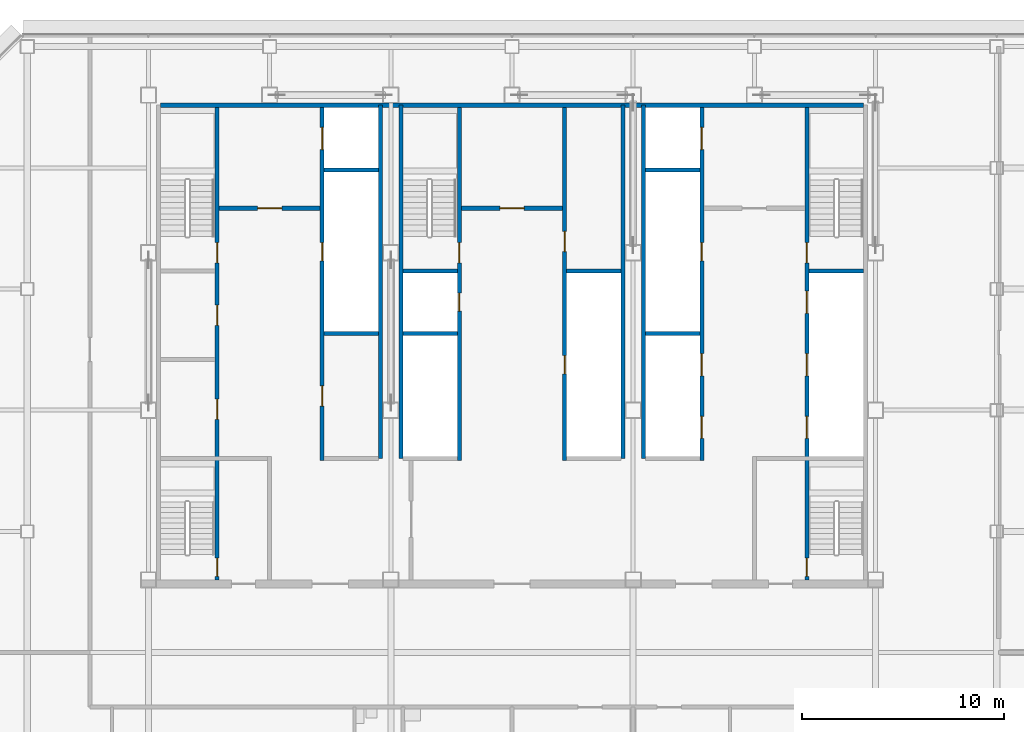
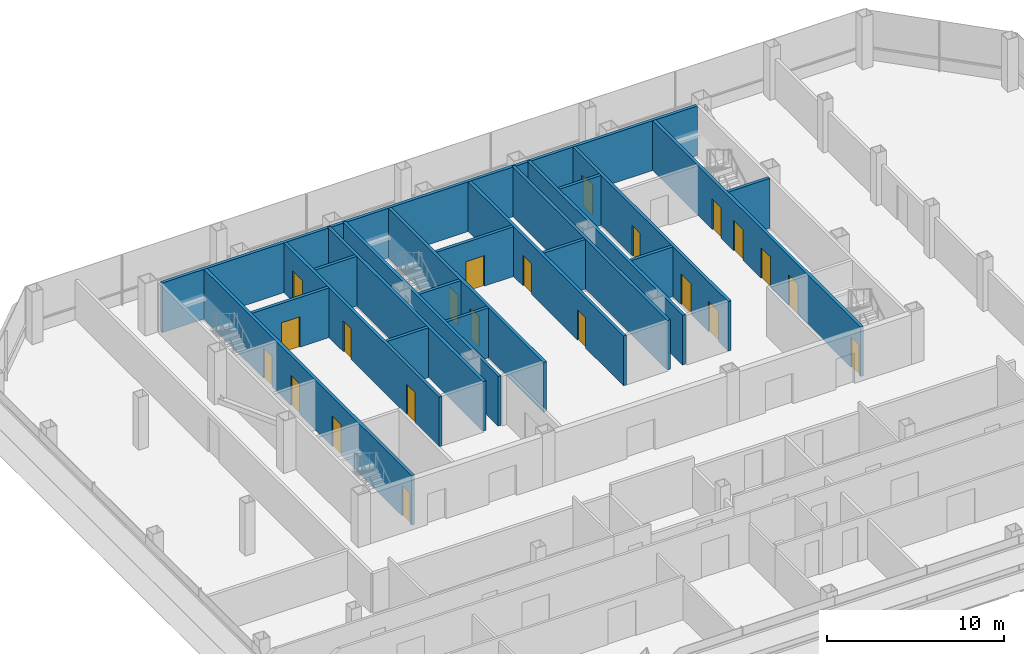
# One storey, part 21 of 24: 22 doors, 21 walls, 22 openings.
"""IFC4 building model written with IfcOpenShell, lengths in metres."""

from ifc_helpers import new_model, si_unit, direction, frame, frame_2d, origin, place, context, subcontext, project, spatial, rectangle, extrude, material, layer, layer_set, type_object, element, fill, save


model = new_model("IFC4")

# Units and contexts
model_context = context("Model", 3, precision=1e-05, world=origin(), true_north=direction((0.0, 1.0)))
body_context = subcontext(model_context, "Body", "Model", "MODEL_VIEW")
ifc_project = project(units=[si_unit("LENGTHUNIT", "METRE"), si_unit("AREAUNIT", "SQUARE_METRE"), si_unit("VOLUMEUNIT", "CUBIC_METRE"), si_unit("PLANEANGLEUNIT", "RADIAN"), si_unit("MASSUNIT", "GRAM", prefix="KILO")], contexts=[model_context])

# Site, building, storey
site_placement = place(None, origin())
site = spatial("IfcSite", under=ifc_project, at=site_placement, CompositionType="ELEMENT")
building_placement = place(site_placement, origin())
building = spatial("IfcBuilding", under=site, at=building_placement, Name="Sorahane Residences", CompositionType="ELEMENT")
storey_placement = place(building_placement, frame((0.0, 0.0, 178.0)))
storey = spatial("IfcBuildingStorey", under=building, at=storey_placement, Name="L41", CompositionType="ELEMENT", Elevation=178.0)

# Walls
ifc_material_1 = material(Name="Concrete C30", Category="concrete")
ifc_layer_1 = layer(ifc_material_1, 0.199951171875)
ifc_layer_set_1 = layer_set([ifc_layer_1], Name="Core face wall 200 EI 180")
wall_type_1 = type_object("IfcWallType", Name="Core face wall 200 EI 180", PredefinedType="SOLIDWALL", material=ifc_layer_set_1)
wall_1_placement = place(storey_placement, frame((6.60009765625, 45.10009765625, 0.0), z_axis=(0.0, 0.0, 1.0), x_axis=(1.0, 0.0, 0.0)))
element("IfcWall", 1, at=wall_1_placement, inside=storey, type_object=wall_type_1, Name="L41 core face wall", PredefinedType="SOLIDWALL", context=body_context, shape_type="SweptSolid", body=[
    extrude(rectangle(XDim=34.7998046875, YDim=0.199951171875, at=frame_2d((17.39990234375, 0.0))), origin(), (0.0, 0.0, 1.0), 3.419921875),
])
for number, where, z_axis, x_axis, name in (
    (2, (17.5, 27.60009765625, 0.0), (0.0, 0.0, 1.0), (0.0, 1.0, 0.0), "L41 core face wall"),
    (3, (18.5, 27.60009765625, 0.0), (0.0, 0.0, 1.0), (0.0, 1.0, 0.0), "L41 core face wall"),
    (4, (29.5, 27.60009765625, 0.0), (0.0, 0.0, 1.0), (0.0, 1.0, 0.0), "L41 core face wall"),
    (5, (30.5, 27.60009765625, 0.0), (0.0, 0.0, 1.0), (0.0, 1.0, 0.0), "L41 core face wall"),
):
    element("IfcWall", number, at=place(storey_placement, frame(where, z_axis=z_axis, x_axis=x_axis)), inside=storey, type_object=wall_type_1, Name=name, PredefinedType="SOLIDWALL", context=body_context, shape_type="SweptSolid", body=[
        extrude(rectangle(XDim=17.5, YDim=0.199951171875, at=frame_2d((8.75, 0.0))), origin(), (0.0, 0.0, 1.0), 3.419921875),
    ])

# Wall, opening, door
ifc_material_2 = material(Name="Concrete C30", Category="concrete")
ifc_layer_2 = layer(ifc_material_2, 0.199951171875)
ifc_layer_set_2 = layer_set([ifc_layer_2], Name="Front room wall 200 EI 120")
wall_type_2 = type_object("IfcWallType", Name="Front room wall 200 EI 120", PredefinedType="PARTITIONING", material=ifc_layer_set_2)
wall_2_placement = place(storey_placement, frame((21.5, 40.0, 0.0), z_axis=(0.0, 0.0, 1.0), x_axis=(1.0, 0.0, 0.0)))
wall_2 = element("IfcWall", 6, at=wall_2_placement, inside=storey, type_object=wall_type_2, Name="L41 front room wall", PredefinedType="PARTITIONING", context=body_context, shape_type="SweptSolid", body=[
    extrude(rectangle(XDim=5.0, YDim=0.199951171875, at=frame_2d((2.5, 0.0))), origin(), (0.0, 0.0, 1.0), 3.419921875),
])
opening_1_placement = place(wall_2_placement, frame((1.89990234375, 0.0, 0.0)))
opening_1 = element("IfcOpeningElement", 7, at=opening_1_placement, cuts=wall_2, Name="Opening L41-C08", PredefinedType="OPENING", context=body_context, shape_type="SweptSolid", body=[
    extrude(rectangle(XDim=1.199951171875, YDim=2.10009765625, at=frame_2d((0.60009765625, 1.050048828125))), frame((0.0, 0.10986328125, 0.0), z_axis=(0.0, -1.0, 0.0), x_axis=(1.0, 0.0, 0.0)), (0.0, 0.0, 1.0), 0.219970703125),
])
ifc_material_3 = material(Name="Steel", Category="steel")
door_type_1 = type_object("IfcDoorType", Name="Front room door 1200x2100 FD120", OperationType="NOTDEFINED", PredefinedType="DOOR", material=ifc_material_3)
door_1_placement = place(opening_1_placement, frame((1.199951171875, 0.0, 0.0), z_axis=(0.0, 0.0, 1.0), x_axis=(-1.0, 0.0, 0.0)))
door_1 = element("IfcDoor", 8, at=door_1_placement, inside=storey, type_object=door_type_1, Name="Front room door Stair S3 vestibule L41", OperationType="DOUBLE_DOOR_SINGLE_SWING", OverallHeight=2.10009765625, OverallWidth=1.199951171875, PredefinedType="DOOR", context=body_context, shape_type="SweptSolid", body=[
    extrude(rectangle(XDim=1.199951171875, YDim=2.10009765625, at=frame_2d((0.60009765625, 1.050048828125))), frame((0.0, 0.02490234375, 0.0), z_axis=(0.0, -1.0, 0.0), x_axis=(1.0, 0.0, 0.0)), (0.0, 0.0, 1.0), 0.050048828125),
])
fill(opening_1, door_1)

wall_3_placement = place(storey_placement, frame((9.5, 40.0, 0.0), z_axis=(0.0, 0.0, 1.0), x_axis=(1.0, 0.0, 0.0)))
wall_3 = element("IfcWall", 9, at=wall_3_placement, inside=storey, type_object=wall_type_2, Name="L41 front room wall", PredefinedType="PARTITIONING", context=body_context, shape_type="SweptSolid", body=[
    extrude(rectangle(XDim=5.0, YDim=0.199951171875, at=frame_2d((2.5, 0.0))), origin(), (0.0, 0.0, 1.0), 3.419921875),
])
opening_2_placement = place(wall_3_placement, frame((1.89990234375, 0.0, 0.0)))
opening_2 = element("IfcOpeningElement", 10, at=opening_2_placement, cuts=wall_3, Name="Opening L41-C07", PredefinedType="OPENING", context=body_context, shape_type="SweptSolid", body=[
    extrude(rectangle(XDim=1.199951171875, YDim=2.10009765625, at=frame_2d((0.60009765625, 1.050048828125))), frame((0.0, 0.10986328125, 0.0), z_axis=(0.0, -1.0, 0.0), x_axis=(1.0, 0.0, 0.0)), (0.0, 0.0, 1.0), 0.219970703125),
])
door_2_placement = place(opening_2_placement, frame((1.199951171875, 0.0, 0.0), z_axis=(0.0, 0.0, 1.0), x_axis=(-1.0, 0.0, 0.0)))
door_2 = element("IfcDoor", 11, at=door_2_placement, inside=storey, type_object=door_type_1, Name="Front room door Firefighting lobby FF1 front room L41", OperationType="DOUBLE_DOOR_SINGLE_SWING", OverallHeight=2.10009765625, OverallWidth=1.199951171875, PredefinedType="DOOR", context=body_context, shape_type="SweptSolid", body=[
    extrude(rectangle(XDim=1.199951171875, YDim=2.10009765625, at=frame_2d((0.60009765625, 1.050048828125))), frame((0.0, 0.02490234375, 0.0), z_axis=(0.0, -1.0, 0.0), x_axis=(1.0, 0.0, 0.0)), (0.0, 0.0, 1.0), 0.050048828125),
])
fill(opening_2, door_2)

# Wall, openings, doors
ifc_material_4 = material(Name="Concrete C30", Category="concrete")
ifc_layer_3 = layer(ifc_material_4, 0.199951171875)
ifc_layer_set_3 = layer_set([ifc_layer_3], Name="Lift shaft wall 200 EI 120")
wall_type_3 = type_object("IfcWallType", Name="Lift shaft wall 200 EI 120", PredefinedType="SOLIDWALL", material=ifc_layer_set_3)
wall_4_placement = place(storey_placement, frame((14.60009765625, 27.5, 0.0), z_axis=(0.0, 0.0, 1.0), x_axis=(0.0, 1.0, 0.0)))
wall_4 = element("IfcWall", 12, at=wall_4_placement, inside=storey, type_object=wall_type_3, Name="L41 lift shaft wall", PredefinedType="SOLIDWALL", context=body_context, shape_type="SweptSolid", body=[
    extrude(rectangle(XDim=17.5, YDim=0.199951171875, at=frame_2d((8.75, 0.0))), origin(), (0.0, 0.0, 1.0), 3.419921875),
])
opening_3_placement = place(wall_4_placement, frame((15.39990234375, 0.0, 0.0)))
opening_3 = element("IfcOpeningElement", 13, at=opening_3_placement, cuts=wall_4, Name="Opening L41-C16", PredefinedType="OPENING", context=body_context, shape_type="SweptSolid", body=[
    extrude(rectangle(XDim=1.10009765625, YDim=2.10009765625, at=frame_2d((0.550048828125, 1.050048828125))), frame((0.0, 0.10986328125, 0.0), z_axis=(0.0, -1.0, 0.0), x_axis=(1.0, 0.0, 0.0)), (0.0, 0.0, 1.0), 0.219970703125),
])
opening_4_placement = place(wall_4_placement, frame((2.699951171875, 0.0, 0.0)))
opening_4 = element("IfcOpeningElement", 14, at=opening_4_placement, cuts=wall_4, Name="Opening L41-C17", PredefinedType="OPENING", context=body_context, shape_type="SweptSolid", body=[
    extrude(rectangle(XDim=1.0, YDim=2.10009765625, at=frame_2d((0.5, 1.050048828125))), frame((0.0, 0.10986328125, 0.0), z_axis=(0.0, -1.0, 0.0), x_axis=(1.0, 0.0, 0.0)), (0.0, 0.0, 1.0), 0.219970703125),
])
opening_5_placement = place(wall_4_placement, frame((9.89990234375, 0.0, 0.0)))
opening_5 = element("IfcOpeningElement", 15, at=opening_5_placement, cuts=wall_4, Name="Opening L41-C25", PredefinedType="OPENING", context=body_context, shape_type="SweptSolid", body=[
    extrude(rectangle(XDim=0.89990234375, YDim=2.10009765625, at=frame_2d((0.449951171875, 1.050048828125))), frame((0.0, 0.10986328125, 0.0), z_axis=(0.0, -1.0, 0.0), x_axis=(1.0, 0.0, 0.0)), (0.0, 0.0, 1.0), 0.219970703125),
])
ifc_material_5 = material(Name="Aluminium and stainless steel", Category="steel")
door_type_2 = type_object("IfcDoorType", Name="Lift landing door 1100x2100 E 60", OperationType="NOTDEFINED", PredefinedType="DOOR", material=ifc_material_5)
door_3_placement = place(opening_3_placement, origin())
door_3 = element("IfcDoor", 16, at=door_3_placement, inside=storey, type_object=door_type_2, Name="Lift landing door FF1 L41", OperationType="DOUBLE_DOOR_SLIDING", OverallHeight=2.10009765625, OverallWidth=1.10009765625, PredefinedType="DOOR", context=body_context, shape_type="SweptSolid", body=[
    extrude(rectangle(XDim=1.10009765625, YDim=2.10009765625, at=frame_2d((0.550048828125, 1.050048828125))), frame((0.0, 0.02490234375, 0.0), z_axis=(0.0, -1.0, 0.0), x_axis=(1.0, 0.0, 0.0)), (0.0, 0.0, 1.0), 0.050048828125),
])
fill(opening_3, door_3)
ifc_material_6 = material(Name="Steel", Category="steel")
door_type_3 = type_object("IfcDoorType", Name="Riser door 900x2100 FD120", OperationType="NOTDEFINED", PredefinedType="DOOR", material=ifc_material_6)
door_4_placement = place(opening_5_placement, origin())
door_4 = element("IfcDoor", 17, at=door_4_placement, inside=storey, type_object=door_type_3, Name="Riser door R1 L41", OperationType="SINGLE_SWING_LEFT", OverallHeight=2.10009765625, OverallWidth=0.89990234375, PredefinedType="DOOR", context=body_context, shape_type="SweptSolid", body=[
    extrude(rectangle(XDim=0.89990234375, YDim=2.10009765625, at=frame_2d((0.449951171875, 1.050048828125))), frame((0.0, 0.02490234375, 0.0), z_axis=(0.0, -1.0, 0.0), x_axis=(1.0, 0.0, 0.0)), (0.0, 0.0, 1.0), 0.050048828125),
])
fill(opening_5, door_4)
ifc_material_7 = material(Name="Steel", Category="steel")
door_type_4 = type_object("IfcDoorType", Name="Service room door 1000x2100 FD60", OperationType="NOTDEFINED", PredefinedType="DOOR", material=ifc_material_7)
door_5_placement = place(opening_4_placement, frame((1.0, 0.0, 0.0), z_axis=(0.0, 0.0, 1.0), x_axis=(-1.0, 0.0, 0.0)))
door_5 = element("IfcDoor", 18, at=door_5_placement, inside=storey, type_object=door_type_4, Name="Service room door Study L41", OperationType="SINGLE_SWING_RIGHT", OverallHeight=2.10009765625, OverallWidth=1.0, PredefinedType="DOOR", context=body_context, shape_type="SweptSolid", body=[
    extrude(rectangle(XDim=1.0, YDim=2.10009765625, at=frame_2d((0.5, 1.050048828125))), frame((0.0, 0.02490234375, 0.0), z_axis=(0.0, -1.0, 0.0), x_axis=(1.0, 0.0, 0.0)), (0.0, 0.0, 1.0), 0.050048828125),
])
fill(opening_4, door_5)

wall_5_placement = place(storey_placement, frame((33.39990234375, 27.5, 0.0), z_axis=(0.0, 0.0, 1.0), x_axis=(0.0, 1.0, 0.0)))
wall_5 = element("IfcWall", 19, at=wall_5_placement, inside=storey, type_object=wall_type_3, Name="L41 lift shaft wall", PredefinedType="SOLIDWALL", context=body_context, shape_type="SweptSolid", body=[
    extrude(rectangle(XDim=17.5, YDim=0.199951171875, at=frame_2d((8.75, 0.0))), origin(), (0.0, 0.0, 1.0), 3.419921875),
])
opening_6_placement = place(wall_5_placement, frame((1.10009765625, 0.0, 0.0)))
opening_6 = element("IfcOpeningElement", 20, at=opening_6_placement, cuts=wall_5, Name="Opening L41-C13", PredefinedType="OPENING", context=body_context, shape_type="SweptSolid", body=[
    extrude(rectangle(XDim=1.10009765625, YDim=2.10009765625, at=frame_2d((0.550048828125, 1.050048828125))), frame((0.0, 0.10986328125, 0.0), z_axis=(0.0, -1.0, 0.0), x_axis=(1.0, 0.0, 0.0)), (0.0, 0.0, 1.0), 0.219970703125),
])
opening_7_placement = place(wall_5_placement, frame((4.199951171875, 0.0, 0.0)))
opening_7 = element("IfcOpeningElement", 21, at=opening_7_placement, cuts=wall_5, Name="Opening L41-C14", PredefinedType="OPENING", context=body_context, shape_type="SweptSolid", body=[
    extrude(rectangle(XDim=1.10009765625, YDim=2.10009765625, at=frame_2d((0.550048828125, 1.050048828125))), frame((0.0, 0.10986328125, 0.0), z_axis=(0.0, -1.0, 0.0), x_axis=(1.0, 0.0, 0.0)), (0.0, 0.0, 1.0), 0.219970703125),
])
opening_8_placement = place(wall_5_placement, frame((15.39990234375, 0.0, 0.0)))
opening_8 = element("IfcOpeningElement", 22, at=opening_8_placement, cuts=wall_5, Name="Opening L41-C15", PredefinedType="OPENING", context=body_context, shape_type="SweptSolid", body=[
    extrude(rectangle(XDim=1.10009765625, YDim=2.10009765625, at=frame_2d((0.550048828125, 1.050048828125))), frame((0.0, 0.10986328125, 0.0), z_axis=(0.0, -1.0, 0.0), x_axis=(1.0, 0.0, 0.0)), (0.0, 0.0, 1.0), 0.219970703125),
])
opening_9_placement = place(wall_5_placement, frame((9.89990234375, 0.0, 0.0)))
opening_9 = element("IfcOpeningElement", 23, at=opening_9_placement, cuts=wall_5, Name="Opening L41-C26", PredefinedType="OPENING", context=body_context, shape_type="SweptSolid", body=[
    extrude(rectangle(XDim=0.89990234375, YDim=2.10009765625, at=frame_2d((0.449951171875, 1.050048828125))), frame((0.0, 0.10986328125, 0.0), z_axis=(0.0, -1.0, 0.0), x_axis=(1.0, 0.0, 0.0)), (0.0, 0.0, 1.0), 0.219970703125),
])
door_6_placement = place(opening_6_placement, origin())
door_6 = element("IfcDoor", 24, at=door_6_placement, inside=storey, type_object=door_type_2, Name="Lift landing door HR4 L41", OperationType="DOUBLE_DOOR_SLIDING", OverallHeight=2.10009765625, OverallWidth=1.10009765625, PredefinedType="DOOR", context=body_context, shape_type="SweptSolid", body=[
    extrude(rectangle(XDim=1.10009765625, YDim=2.10009765625, at=frame_2d((0.550048828125, 1.050048828125))), frame((0.0, 0.02490234375, 0.0), z_axis=(0.0, -1.0, 0.0), x_axis=(1.0, 0.0, 0.0)), (0.0, 0.0, 1.0), 0.050048828125),
])
fill(opening_6, door_6)
door_7_placement = place(opening_7_placement, origin())
door_7 = element("IfcDoor", 25, at=door_7_placement, inside=storey, type_object=door_type_2, Name="Lift landing door HR5 L41", OperationType="DOUBLE_DOOR_SLIDING", OverallHeight=2.10009765625, OverallWidth=1.10009765625, PredefinedType="DOOR", context=body_context, shape_type="SweptSolid", body=[
    extrude(rectangle(XDim=1.10009765625, YDim=2.10009765625, at=frame_2d((0.550048828125, 1.050048828125))), frame((0.0, 0.02490234375, 0.0), z_axis=(0.0, -1.0, 0.0), x_axis=(1.0, 0.0, 0.0)), (0.0, 0.0, 1.0), 0.050048828125),
])
fill(opening_7, door_7)
door_8_placement = place(opening_8_placement, origin())
door_8 = element("IfcDoor", 26, at=door_8_placement, inside=storey, type_object=door_type_2, Name="Lift landing door FF2 L41", OperationType="DOUBLE_DOOR_SLIDING", OverallHeight=2.10009765625, OverallWidth=1.10009765625, PredefinedType="DOOR", context=body_context, shape_type="SweptSolid", body=[
    extrude(rectangle(XDim=1.10009765625, YDim=2.10009765625, at=frame_2d((0.550048828125, 1.050048828125))), frame((0.0, 0.02490234375, 0.0), z_axis=(0.0, -1.0, 0.0), x_axis=(1.0, 0.0, 0.0)), (0.0, 0.0, 1.0), 0.050048828125),
])
fill(opening_8, door_8)
door_9_placement = place(opening_9_placement, frame((0.89990234375, 0.0, 0.0), z_axis=(0.0, 0.0, 1.0), x_axis=(-1.0, 0.0, 0.0)))
door_9 = element("IfcDoor", 27, at=door_9_placement, inside=storey, type_object=door_type_3, Name="Riser door R2 L41", OperationType="SINGLE_SWING_LEFT", OverallHeight=2.10009765625, OverallWidth=0.89990234375, PredefinedType="DOOR", context=body_context, shape_type="SweptSolid", body=[
    extrude(rectangle(XDim=0.89990234375, YDim=2.10009765625, at=frame_2d((0.449951171875, 1.050048828125))), frame((0.0, 0.02490234375, 0.0), z_axis=(0.0, -1.0, 0.0), x_axis=(1.0, 0.0, 0.0)), (0.0, 0.0, 1.0), 0.050048828125),
])
fill(opening_9, door_9)

# Walls
for number, where, z_axis, x_axis, name in (
    (28, (18.60009765625, 33.800048828125, 0.0), (0.0, 0.0, 1.0), (1.0, 0.0, 0.0), "L41 lift shaft wall"),
    (29, (30.60009765625, 33.800048828125, 0.0), (0.0, 0.0, 1.0), (1.0, 0.0, 0.0), "L41 lift shaft wall"),
    (30, (14.699951171875, 41.89990234375, 0.0), (0.0, 0.0, 1.0), (1.0, 0.0, 0.0), "L41 lift shaft wall"),
    (31, (30.60009765625, 41.89990234375, 0.0), (0.0, 0.0, 1.0), (1.0, 0.0, 0.0), "L41 lift shaft wall"),
):
    element("IfcWall", number, at=place(storey_placement, frame(where, z_axis=z_axis, x_axis=x_axis)), inside=storey, type_object=wall_type_3, Name=name, PredefinedType="SOLIDWALL", context=body_context, shape_type="SweptSolid", body=[
        extrude(rectangle(XDim=2.699951171875, YDim=0.199951171875, at=frame_2d((1.35009765625, 0.0))), origin(), (0.0, 0.0, 1.0), 3.419921875),
    ])

# Wall, openings, doors
ifc_material_8 = material(Name="Concrete C30", Category="concrete")
ifc_layer_4 = layer(ifc_material_8, 0.199951171875)
ifc_layer_set_4 = layer_set([ifc_layer_4], Name="Riser shaft wall 200 EI 120")
wall_type_4 = type_object("IfcWallType", Name="Riser shaft wall 200 EI 120", PredefinedType="SOLIDWALL", material=ifc_layer_set_4)
wall_6_placement = place(storey_placement, frame((26.60009765625, 27.5, 0.0), z_axis=(0.0, 0.0, 1.0), x_axis=(0.0, 1.0, 0.0)))
wall_6 = element("IfcWall", 32, at=wall_6_placement, inside=storey, type_object=wall_type_4, Name="L41 riser wall", PredefinedType="SOLIDWALL", context=body_context, shape_type="SweptSolid", body=[
    extrude(rectangle(XDim=17.5, YDim=0.199951171875, at=frame_2d((8.75, 0.0))), origin(), (0.0, 0.0, 1.0), 3.419921875),
])
opening_10_placement = place(wall_6_placement, frame((4.300048828125, 0.0, 0.0)))
opening_10 = element("IfcOpeningElement", 33, at=opening_10_placement, cuts=wall_6, Name="Opening L41-C28", PredefinedType="OPENING", context=body_context, shape_type="SweptSolid", body=[
    extrude(rectangle(XDim=0.89990234375, YDim=2.10009765625, at=frame_2d((0.449951171875, 1.050048828125))), frame((0.0, 0.10986328125, 0.0), z_axis=(0.0, -1.0, 0.0), x_axis=(1.0, 0.0, 0.0)), (0.0, 0.0, 1.0), 0.219970703125),
])
opening_11_placement = place(wall_6_placement, frame((10.35009765625, 0.0, 0.0)))
opening_11 = element("IfcOpeningElement", 34, at=opening_11_placement, cuts=wall_6, Name="Opening L41-C29", PredefinedType="OPENING", context=body_context, shape_type="SweptSolid", body=[
    extrude(rectangle(XDim=1.0, YDim=2.10009765625, at=frame_2d((0.5, 1.050048828125))), frame((0.0, 0.10986328125, 0.0), z_axis=(0.0, -1.0, 0.0), x_axis=(1.0, 0.0, 0.0)), (0.0, 0.0, 1.0), 0.219970703125),
])
door_10_placement = place(opening_10_placement, origin())
door_10 = element("IfcDoor", 35, at=door_10_placement, inside=storey, type_object=door_type_3, Name="Riser door R4 L41", OperationType="SINGLE_SWING_LEFT", OverallHeight=2.10009765625, OverallWidth=0.89990234375, PredefinedType="DOOR", context=body_context, shape_type="SweptSolid", body=[
    extrude(rectangle(XDim=0.89990234375, YDim=2.10009765625, at=frame_2d((0.449951171875, 1.050048828125))), frame((0.0, 0.02490234375, 0.0), z_axis=(0.0, -1.0, 0.0), x_axis=(1.0, 0.0, 0.0)), (0.0, 0.0, 1.0), 0.050048828125),
])
fill(opening_10, door_10)
door_11_placement = place(opening_11_placement, frame((1.0, 0.0, 0.0), z_axis=(0.0, 0.0, 1.0), x_axis=(-1.0, 0.0, 0.0)))
door_11 = element("IfcDoor", 36, at=door_11_placement, inside=storey, type_object=door_type_4, Name="Service room door Housekeeping store L41", OperationType="SINGLE_SWING_LEFT", OverallHeight=2.10009765625, OverallWidth=1.0, PredefinedType="DOOR", context=body_context, shape_type="SweptSolid", body=[
    extrude(rectangle(XDim=1.0, YDim=2.10009765625, at=frame_2d((0.5, 1.050048828125))), frame((0.0, 0.02490234375, 0.0), z_axis=(0.0, -1.0, 0.0), x_axis=(1.0, 0.0, 0.0)), (0.0, 0.0, 1.0), 0.050048828125),
])
fill(opening_11, door_11)

# Walls
for number, where, z_axis, x_axis, name in (
    (37, (14.699951171875, 33.800048828125, 0.0), (0.0, 0.0, 1.0), (1.0, 0.0, 0.0), "L41 riser wall"),
    (38, (26.699951171875, 36.89990234375, 0.0), (0.0, 0.0, 1.0), (1.0, 0.0, 0.0), "L41 riser wall"),
):
    element("IfcWall", number, at=place(storey_placement, frame(where, z_axis=z_axis, x_axis=x_axis)), inside=storey, type_object=wall_type_4, Name=name, PredefinedType="SOLIDWALL", context=body_context, shape_type="SweptSolid", body=[
        extrude(rectangle(XDim=2.699951171875, YDim=0.199951171875, at=frame_2d((1.35009765625, 0.0))), origin(), (0.0, 0.0, 1.0), 3.419921875),
    ])

# Wall, openings, doors
ifc_material_9 = material(Name="Concrete C30", Category="concrete")
ifc_layer_5 = layer(ifc_material_9, 0.199951171875)
ifc_layer_set_5 = layer_set([ifc_layer_5], Name="Stair enclosure wall 200 EI 120")
wall_type_5 = type_object("IfcWallType", Name="Stair enclosure wall 200 EI 120", PredefinedType="SOLIDWALL", material=ifc_layer_set_5)
wall_7_placement = place(storey_placement, frame((21.39990234375, 27.5, 0.0), z_axis=(0.0, 0.0, 1.0), x_axis=(0.0, 1.0, 0.0)))
wall_7 = element("IfcWall", 39, at=wall_7_placement, inside=storey, type_object=wall_type_5, Name="L41 stair enclosure wall", PredefinedType="SOLIDWALL", context=body_context, shape_type="SweptSolid", body=[
    extrude(rectangle(XDim=17.5, YDim=0.199951171875, at=frame_2d((8.75, 0.0))), origin(), (0.0, 0.0, 1.0), 3.419921875),
])
opening_12_placement = place(wall_7_placement, frame((9.800048828125, 0.0, 0.0)))
opening_12 = element("IfcOpeningElement", 40, at=opening_12_placement, cuts=wall_7, Name="Opening L41-C22", PredefinedType="OPENING", context=body_context, shape_type="SweptSolid", body=[
    extrude(rectangle(XDim=1.0, YDim=2.10009765625, at=frame_2d((0.5, 1.050048828125))), frame((0.0, 0.10986328125, 0.0), z_axis=(0.0, -1.0, 0.0), x_axis=(1.0, 0.0, 0.0)), (0.0, 0.0, 1.0), 0.219970703125),
])
opening_13_placement = place(wall_7_placement, frame((7.39990234375, 0.0, 0.0)))
opening_13 = element("IfcOpeningElement", 41, at=opening_13_placement, cuts=wall_7, Name="Opening L41-C27", PredefinedType="OPENING", context=body_context, shape_type="SweptSolid", body=[
    extrude(rectangle(XDim=0.89990234375, YDim=2.10009765625, at=frame_2d((0.449951171875, 1.050048828125))), frame((0.0, 0.10986328125, 0.0), z_axis=(0.0, -1.0, 0.0), x_axis=(1.0, 0.0, 0.0)), (0.0, 0.0, 1.0), 0.219970703125),
])
door_12_placement = place(opening_13_placement, frame((0.89990234375, 0.0, 0.0), z_axis=(0.0, 0.0, 1.0), x_axis=(-1.0, 0.0, 0.0)))
door_12 = element("IfcDoor", 42, at=door_12_placement, inside=storey, type_object=door_type_3, Name="Riser door R3 L41", OperationType="SINGLE_SWING_LEFT", OverallHeight=2.10009765625, OverallWidth=0.89990234375, PredefinedType="DOOR", context=body_context, shape_type="SweptSolid", body=[
    extrude(rectangle(XDim=0.89990234375, YDim=2.10009765625, at=frame_2d((0.449951171875, 1.050048828125))), frame((0.0, 0.02490234375, 0.0), z_axis=(0.0, -1.0, 0.0), x_axis=(1.0, 0.0, 0.0)), (0.0, 0.0, 1.0), 0.050048828125),
])
fill(opening_13, door_12)
ifc_material_10 = material(Name="Steel", Category="steel")
door_type_5 = type_object("IfcDoorType", Name="Stair door 1000x2100 FD120", OperationType="NOTDEFINED", PredefinedType="DOOR", material=ifc_material_10)
door_13_placement = place(opening_12_placement, origin())
door_13 = element("IfcDoor", 43, at=door_13_placement, inside=storey, type_object=door_type_5, Name="Stair door S3 L41", OperationType="SINGLE_SWING_LEFT", OverallHeight=2.10009765625, OverallWidth=1.0, PredefinedType="DOOR", context=body_context, shape_type="SweptSolid", body=[
    extrude(rectangle(XDim=1.0, YDim=2.10009765625, at=frame_2d((0.5, 1.050048828125))), frame((0.0, 0.02490234375, 0.0), z_axis=(0.0, -1.0, 0.0), x_axis=(1.0, 0.0, 0.0)), (0.0, 0.0, 1.0), 0.050048828125),
])
fill(opening_12, door_13)

wall_8_placement = place(storey_placement, frame((38.60009765625, 21.60009765625, 0.0), z_axis=(0.0, 0.0, 1.0), x_axis=(0.0, 1.0, 0.0)))
wall_8 = element("IfcWall", 44, at=wall_8_placement, inside=storey, type_object=wall_type_5, Name="L41 stair enclosure wall", PredefinedType="SOLIDWALL", context=body_context, shape_type="SweptSolid", body=[
    extrude(rectangle(XDim=23.39990234375, YDim=0.199951171875, at=frame_2d((11.699951171875, 0.0))), origin(), (0.0, 0.0, 1.0), 3.419921875),
])
opening_14_placement = place(wall_8_placement, frame((7.0, 0.0, 0.0)))
opening_14 = element("IfcOpeningElement", 45, at=opening_14_placement, cuts=wall_8, Name="Opening L41-C10", PredefinedType="OPENING", context=body_context, shape_type="SweptSolid", body=[
    extrude(rectangle(XDim=1.10009765625, YDim=2.10009765625, at=frame_2d((0.550048828125, 1.050048828125))), frame((0.0, 0.10986328125, 0.0), z_axis=(0.0, -1.0, 0.0), x_axis=(1.0, 0.0, 0.0)), (0.0, 0.0, 1.0), 0.219970703125),
])
opening_15_placement = place(wall_8_placement, frame((10.10009765625, 0.0, 0.0)))
opening_15 = element("IfcOpeningElement", 46, at=opening_15_placement, cuts=wall_8, Name="Opening L41-C11", PredefinedType="OPENING", context=body_context, shape_type="SweptSolid", body=[
    extrude(rectangle(XDim=1.10009765625, YDim=2.10009765625, at=frame_2d((0.550048828125, 1.050048828125))), frame((0.0, 0.10986328125, 0.0), z_axis=(0.0, -1.0, 0.0), x_axis=(1.0, 0.0, 0.0)), (0.0, 0.0, 1.0), 0.219970703125),
])
opening_16_placement = place(wall_8_placement, frame((13.199951171875, 0.0, 0.0)))
opening_16 = element("IfcOpeningElement", 47, at=opening_16_placement, cuts=wall_8, Name="Opening L41-C12", PredefinedType="OPENING", context=body_context, shape_type="SweptSolid", body=[
    extrude(rectangle(XDim=1.10009765625, YDim=2.10009765625, at=frame_2d((0.550048828125, 1.050048828125))), frame((0.0, 0.10986328125, 0.0), z_axis=(0.0, -1.0, 0.0), x_axis=(1.0, 0.0, 0.0)), (0.0, 0.0, 1.0), 0.219970703125),
])
opening_17_placement = place(wall_8_placement, frame((15.699951171875, 0.0, 0.0)))
opening_17 = element("IfcOpeningElement", 48, at=opening_17_placement, cuts=wall_8, Name="Opening L41-C21", PredefinedType="OPENING", context=body_context, shape_type="SweptSolid", body=[
    extrude(rectangle(XDim=1.0, YDim=2.10009765625, at=frame_2d((0.5, 1.050048828125))), frame((0.0, 0.10986328125, 0.0), z_axis=(0.0, -1.0, 0.0), x_axis=(1.0, 0.0, 0.0)), (0.0, 0.0, 1.0), 0.219970703125),
])
opening_18_placement = place(wall_8_placement, frame((0.175048828125, 0.0, 0.0)))
opening_18 = element("IfcOpeningElement", 49, at=opening_18_placement, cuts=wall_8, Name="Opening L41-C24", PredefinedType="OPENING", context=body_context, shape_type="SweptSolid", body=[
    extrude(rectangle(XDim=0.89990234375, YDim=2.10009765625, at=frame_2d((0.449951171875, 1.050048828125))), frame((0.0, 0.10986328125, 0.0), z_axis=(0.0, -1.0, 0.0), x_axis=(1.0, 0.0, 0.0)), (0.0, 0.0, 1.0), 0.219970703125),
])
door_14_placement = place(opening_14_placement, origin())
door_14 = element("IfcDoor", 50, at=door_14_placement, inside=storey, type_object=door_type_2, Name="Lift landing door HR1 L41", OperationType="DOUBLE_DOOR_SLIDING", OverallHeight=2.10009765625, OverallWidth=1.10009765625, PredefinedType="DOOR", context=body_context, shape_type="SweptSolid", body=[
    extrude(rectangle(XDim=1.10009765625, YDim=2.10009765625, at=frame_2d((0.550048828125, 1.050048828125))), frame((0.0, 0.02490234375, 0.0), z_axis=(0.0, -1.0, 0.0), x_axis=(1.0, 0.0, 0.0)), (0.0, 0.0, 1.0), 0.050048828125),
])
fill(opening_14, door_14)
door_15_placement = place(opening_15_placement, origin())
door_15 = element("IfcDoor", 51, at=door_15_placement, inside=storey, type_object=door_type_2, Name="Lift landing door HR2 L41", OperationType="DOUBLE_DOOR_SLIDING", OverallHeight=2.10009765625, OverallWidth=1.10009765625, PredefinedType="DOOR", context=body_context, shape_type="SweptSolid", body=[
    extrude(rectangle(XDim=1.10009765625, YDim=2.10009765625, at=frame_2d((0.550048828125, 1.050048828125))), frame((0.0, 0.02490234375, 0.0), z_axis=(0.0, -1.0, 0.0), x_axis=(1.0, 0.0, 0.0)), (0.0, 0.0, 1.0), 0.050048828125),
])
fill(opening_15, door_15)
door_16_placement = place(opening_16_placement, origin())
door_16 = element("IfcDoor", 52, at=door_16_placement, inside=storey, type_object=door_type_2, Name="Lift landing door HR3 L41", OperationType="DOUBLE_DOOR_SLIDING", OverallHeight=2.10009765625, OverallWidth=1.10009765625, PredefinedType="DOOR", context=body_context, shape_type="SweptSolid", body=[
    extrude(rectangle(XDim=1.10009765625, YDim=2.10009765625, at=frame_2d((0.550048828125, 1.050048828125))), frame((0.0, 0.02490234375, 0.0), z_axis=(0.0, -1.0, 0.0), x_axis=(1.0, 0.0, 0.0)), (0.0, 0.0, 1.0), 0.050048828125),
])
fill(opening_16, door_16)
door_17_placement = place(opening_17_placement, frame((1.0, 0.0, 0.0), z_axis=(0.0, 0.0, 1.0), x_axis=(-1.0, 0.0, 0.0)))
door_17 = element("IfcDoor", 53, at=door_17_placement, inside=storey, type_object=door_type_5, Name="Stair door S2 L41", OperationType="SINGLE_SWING_LEFT", OverallHeight=2.10009765625, OverallWidth=1.0, PredefinedType="DOOR", context=body_context, shape_type="SweptSolid", body=[
    extrude(rectangle(XDim=1.0, YDim=2.10009765625, at=frame_2d((0.5, 1.050048828125))), frame((0.0, 0.02490234375, 0.0), z_axis=(0.0, -1.0, 0.0), x_axis=(1.0, 0.0, 0.0)), (0.0, 0.0, 1.0), 0.050048828125),
])
fill(opening_17, door_17)
ifc_material_11 = material(Name="Steel", Category="steel")
door_type_6 = type_object("IfcDoorType", Name="Stair door 900x2100 FD120", OperationType="NOTDEFINED", PredefinedType="DOOR", material=ifc_material_11)
door_18_placement = place(opening_18_placement, frame((0.89990234375, 0.0, 0.0), z_axis=(0.0, 0.0, 1.0), x_axis=(-1.0, 0.0, 0.0)))
door_18 = element("IfcDoor", 54, at=door_18_placement, inside=storey, type_object=door_type_6, Name="Stair door S5 L41", OperationType="SINGLE_SWING_LEFT", OverallHeight=2.10009765625, OverallWidth=0.89990234375, PredefinedType="DOOR", context=body_context, shape_type="SweptSolid", body=[
    extrude(rectangle(XDim=0.89990234375, YDim=2.10009765625, at=frame_2d((0.449951171875, 1.050048828125))), frame((0.0, 0.02490234375, 0.0), z_axis=(0.0, -1.0, 0.0), x_axis=(1.0, 0.0, 0.0)), (0.0, 0.0, 1.0), 0.050048828125),
])
fill(opening_18, door_18)

wall_9_placement = place(storey_placement, frame((9.39990234375, 21.60009765625, 0.0), z_axis=(0.0, 0.0, 1.0), x_axis=(0.0, 1.0, 0.0)))
wall_9 = element("IfcWall", 55, at=wall_9_placement, inside=storey, type_object=wall_type_5, Name="L41 stair enclosure wall", PredefinedType="SOLIDWALL", context=body_context, shape_type="SweptSolid", body=[
    extrude(rectangle(XDim=23.39990234375, YDim=0.199951171875, at=frame_2d((11.699951171875, 0.0))), origin(), (0.0, 0.0, 1.0), 3.419921875),
])
opening_19_placement = place(wall_9_placement, frame((7.949951171875, 0.0, 0.0)))
opening_19 = element("IfcOpeningElement", 56, at=opening_19_placement, cuts=wall_9, Name="Opening L41-C18", PredefinedType="OPENING", context=body_context, shape_type="SweptSolid", body=[
    extrude(rectangle(XDim=1.0, YDim=2.10009765625, at=frame_2d((0.5, 1.050048828125))), frame((0.0, 0.10986328125, 0.0), z_axis=(0.0, -1.0, 0.0), x_axis=(1.0, 0.0, 0.0)), (0.0, 0.0, 1.0), 0.219970703125),
])
opening_20_placement = place(wall_9_placement, frame((12.60009765625, 0.0, 0.0)))
opening_20 = element("IfcOpeningElement", 57, at=opening_20_placement, cuts=wall_9, Name="Opening L41-C19", PredefinedType="OPENING", context=body_context, shape_type="SweptSolid", body=[
    extrude(rectangle(XDim=1.0, YDim=2.10009765625, at=frame_2d((0.5, 1.050048828125))), frame((0.0, 0.10986328125, 0.0), z_axis=(0.0, -1.0, 0.0), x_axis=(1.0, 0.0, 0.0)), (0.0, 0.0, 1.0), 0.219970703125),
])
opening_21_placement = place(wall_9_placement, frame((15.699951171875, 0.0, 0.0)))
opening_21 = element("IfcOpeningElement", 58, at=opening_21_placement, cuts=wall_9, Name="Opening L41-C20", PredefinedType="OPENING", context=body_context, shape_type="SweptSolid", body=[
    extrude(rectangle(XDim=1.0, YDim=2.10009765625, at=frame_2d((0.5, 1.050048828125))), frame((0.0, 0.10986328125, 0.0), z_axis=(0.0, -1.0, 0.0), x_axis=(1.0, 0.0, 0.0)), (0.0, 0.0, 1.0), 0.219970703125),
])
opening_22_placement = place(wall_9_placement, frame((0.175048828125, 0.0, 0.0)))
opening_22 = element("IfcOpeningElement", 59, at=opening_22_placement, cuts=wall_9, Name="Opening L41-C23", PredefinedType="OPENING", context=body_context, shape_type="SweptSolid", body=[
    extrude(rectangle(XDim=0.89990234375, YDim=2.10009765625, at=frame_2d((0.449951171875, 1.050048828125))), frame((0.0, 0.10986328125, 0.0), z_axis=(0.0, -1.0, 0.0), x_axis=(1.0, 0.0, 0.0)), (0.0, 0.0, 1.0), 0.219970703125),
])
door_19_placement = place(opening_19_placement, origin())
door_19 = element("IfcDoor", 60, at=door_19_placement, inside=storey, type_object=door_type_4, Name="Service room door Reading room L41", OperationType="SINGLE_SWING_LEFT", OverallHeight=2.10009765625, OverallWidth=1.0, PredefinedType="DOOR", context=body_context, shape_type="SweptSolid", body=[
    extrude(rectangle(XDim=1.0, YDim=2.10009765625, at=frame_2d((0.5, 1.050048828125))), frame((0.0, 0.02490234375, 0.0), z_axis=(0.0, -1.0, 0.0), x_axis=(1.0, 0.0, 0.0)), (0.0, 0.0, 1.0), 0.050048828125),
])
fill(opening_19, door_19)
door_20_placement = place(opening_20_placement, origin())
door_20 = element("IfcDoor", 61, at=door_20_placement, inside=storey, type_object=door_type_4, Name="Service room door Guest suite store L41", OperationType="SINGLE_SWING_RIGHT", OverallHeight=2.10009765625, OverallWidth=1.0, PredefinedType="DOOR", context=body_context, shape_type="SweptSolid", body=[
    extrude(rectangle(XDim=1.0, YDim=2.10009765625, at=frame_2d((0.5, 1.050048828125))), frame((0.0, 0.02490234375, 0.0), z_axis=(0.0, -1.0, 0.0), x_axis=(1.0, 0.0, 0.0)), (0.0, 0.0, 1.0), 0.050048828125),
])
fill(opening_20, door_20)
door_21_placement = place(opening_21_placement, origin())
door_21 = element("IfcDoor", 62, at=door_21_placement, inside=storey, type_object=door_type_5, Name="Stair door S1 L41", OperationType="SINGLE_SWING_LEFT", OverallHeight=2.10009765625, OverallWidth=1.0, PredefinedType="DOOR", context=body_context, shape_type="SweptSolid", body=[
    extrude(rectangle(XDim=1.0, YDim=2.10009765625, at=frame_2d((0.5, 1.050048828125))), frame((0.0, 0.02490234375, 0.0), z_axis=(0.0, -1.0, 0.0), x_axis=(1.0, 0.0, 0.0)), (0.0, 0.0, 1.0), 0.050048828125),
])
fill(opening_21, door_21)
door_22_placement = place(opening_22_placement, origin())
door_22 = element("IfcDoor", 63, at=door_22_placement, inside=storey, type_object=door_type_6, Name="Stair door S4 L41", OperationType="SINGLE_SWING_LEFT", OverallHeight=2.10009765625, OverallWidth=0.89990234375, PredefinedType="DOOR", context=body_context, shape_type="SweptSolid", body=[
    extrude(rectangle(XDim=0.89990234375, YDim=2.10009765625, at=frame_2d((0.449951171875, 1.050048828125))), frame((0.0, 0.02490234375, 0.0), z_axis=(0.0, -1.0, 0.0), x_axis=(1.0, 0.0, 0.0)), (0.0, 0.0, 1.0), 0.050048828125),
])
fill(opening_22, door_22)

# Walls
for number, where, z_axis, x_axis, name in (
    (64, (18.60009765625, 36.89990234375, 0.0), (0.0, 0.0, 1.0), (1.0, 0.0, 0.0), "L41 stair enclosure wall"),
    (65, (38.699951171875, 36.89990234375, 0.0), (0.0, 0.0, 1.0), (1.0, 0.0, 0.0), "L41 stair enclosure wall"),
):
    element("IfcWall", number, at=place(storey_placement, frame(where, z_axis=z_axis, x_axis=x_axis)), inside=storey, type_object=wall_type_5, Name=name, PredefinedType="SOLIDWALL", context=body_context, shape_type="SweptSolid", body=[
        extrude(rectangle(XDim=2.699951171875, YDim=0.199951171875, at=frame_2d((1.35009765625, 0.0))), origin(), (0.0, 0.0, 1.0), 3.419921875),
    ])

save(model, "model.ifc")
